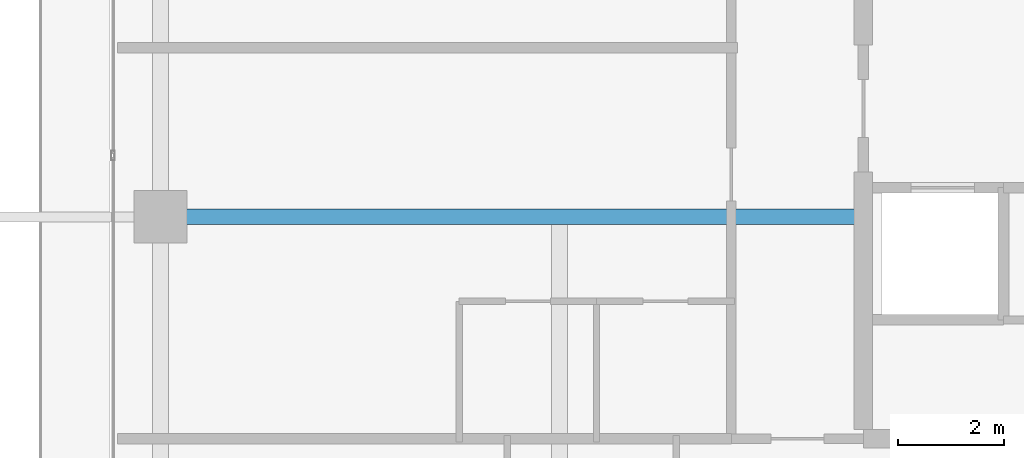
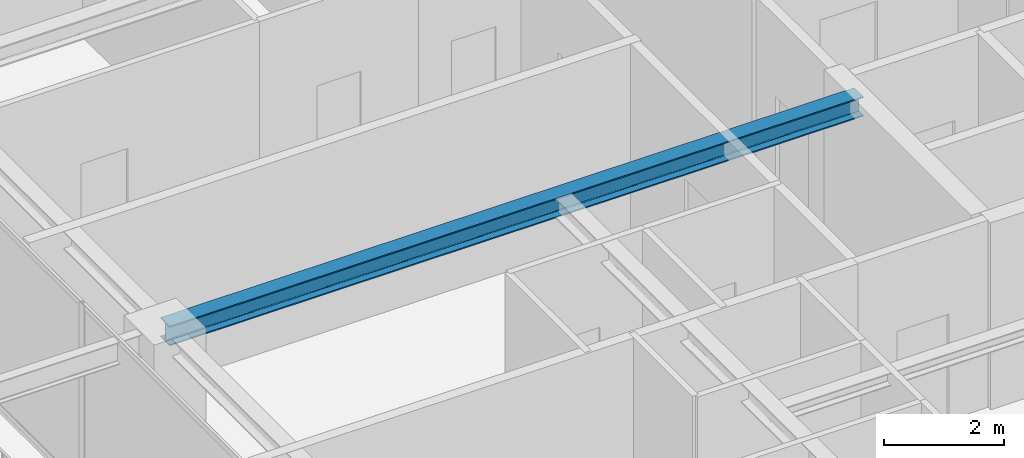
# One storey, part 9 of 40: 1 beam.
"""IFC4 building model written with IfcOpenShell, lengths in metres."""

from ifc_helpers import new_model, si_unit, direction, frame, origin, origin_2d, place, context, subcontext, project, spatial, i_section, extrude, source, transform, mapped, material, material_profile, profile_set, type_object, element, save


model = new_model("IFC4")

# Units and contexts
model_context = context("Model", 3, precision=1e-05, world=origin(), true_north=direction((0.0, 1.0)))
body_context = subcontext(model_context, "Body", "Model", "MODEL_VIEW")
ifc_project = project(units=[si_unit("LENGTHUNIT", "METRE"), si_unit("AREAUNIT", "SQUARE_METRE"), si_unit("VOLUMEUNIT", "CUBIC_METRE"), si_unit("PLANEANGLEUNIT", "RADIAN"), si_unit("MASSUNIT", "GRAM", prefix="KILO")], contexts=[model_context])

# Site, building, storey
site_placement = place(None, origin())
site = spatial("IfcSite", under=ifc_project, at=site_placement, CompositionType="ELEMENT")
building_placement = place(site_placement, origin())
building = spatial("IfcBuilding", under=site, at=building_placement, Name="Serunith Strait Residences", CompositionType="ELEMENT")
storey_placement = place(building_placement, frame((0.0, 0.0, 313.699951171875)))
storey = spatial("IfcBuildingStorey", under=building, at=storey_placement, Name="L78", CompositionType="ELEMENT", Elevation=313.699951171875)

# Beam
ifc_material = material(Name="Steel S355J2", Category="steel")
ifc_material_profile = material_profile(ifc_material, i_section(OverallWidth=0.300048828125, OverallDepth=0.39990234375, WebThickness=0.013427734375, FlangeThickness=0.02392578125, FilletRadius=0.027099609375, at=origin_2d()), Name="HEB 400")
ifc_profile_set = profile_set([ifc_material_profile], Name="Steel S355J2")
beam_type = type_object("IfcBeamType", Name="BM-HEB400", PredefinedType="BEAM", material=ifc_profile_set)
shared_shape = source(origin(), body_context, "Body", "SweptSolid", [
    extrude(i_section(OverallWidth=0.300048828125, OverallDepth=0.39990234375, WebThickness=0.013427734375, FlangeThickness=0.02392578125, FilletRadius=0.027099609375, at=origin_2d()), origin(), (0.0, 0.0, 1.0), 13.2998046875),
])
beam_placement = place(storey_placement, frame((23.39990234375, 21.0, 3.587158203125), z_axis=(-1.0, 0.0, 0.0), x_axis=(0.0, -1.0, 0.0)))
element("IfcBeam", 1, at=beam_placement, inside=storey, type_object=beam_type, Name="L78 Primary Floor Girder TC-W2", PredefinedType="BEAM", context=body_context, shape_type="MappedRepresentation", body=[
    mapped(shared_shape, transform((0.0, 0.0, 0.0), scale=1.0)),
])

save(model, "model.ifc")
